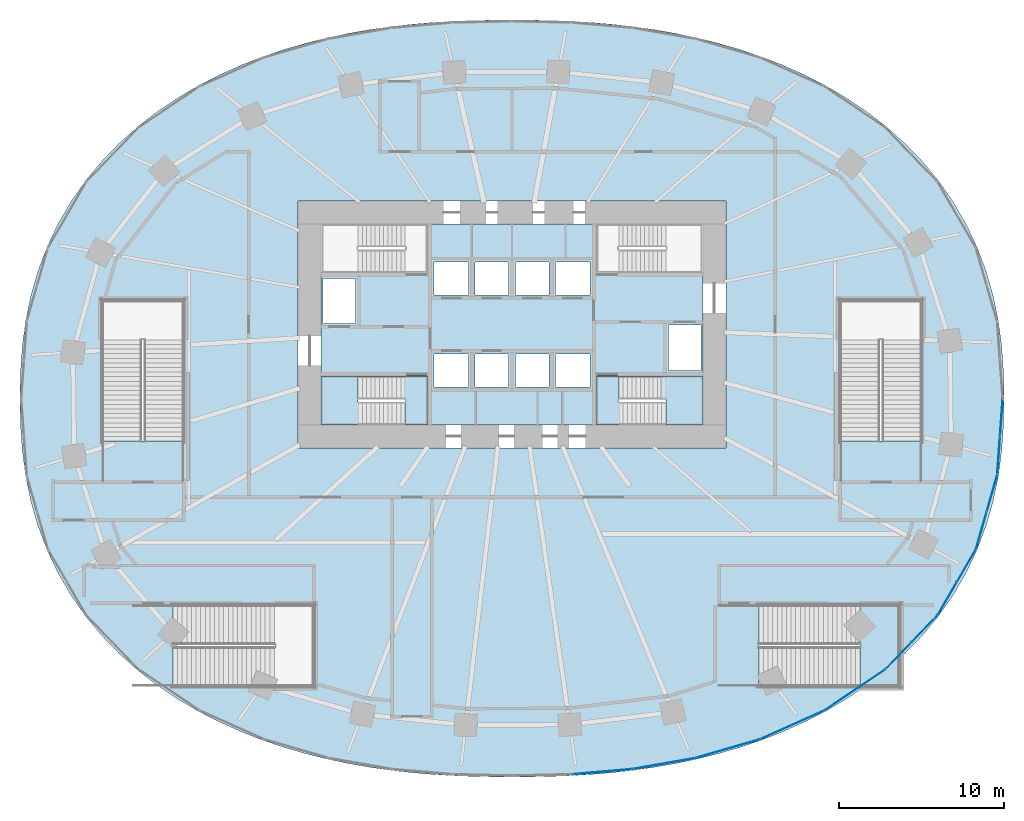
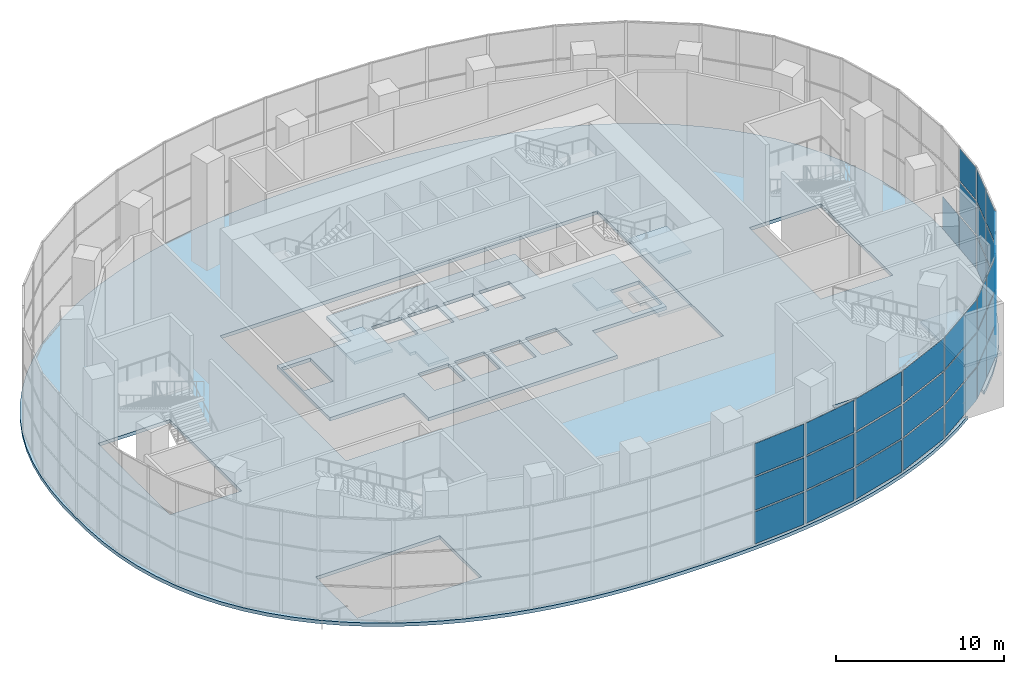
# One storey, part 11 of 22: 37 plates, 8 slabs, 12 elements without a shape of their own.
"""IFC4 building model written with IfcOpenShell, lengths in metres."""

from ifc_helpers import new_model, si_unit, direction, frame, origin, origin_2d, place, context, subcontext, project, spatial, polyline, rectangle, outline, extrude, material, layer, layer_set, type_object, element, aggregate, save


model = new_model("IFC4")

# Units and contexts
model_context = context("Model", 3, precision=1e-05, world=origin(), true_north=direction((0.0, 1.0)))
body_context = subcontext(model_context, "Body", "Model", "MODEL_VIEW")
ifc_project = project(units=[si_unit("LENGTHUNIT", "METRE"), si_unit("AREAUNIT", "SQUARE_METRE"), si_unit("VOLUMEUNIT", "CUBIC_METRE"), si_unit("PLANEANGLEUNIT", "RADIAN"), si_unit("MASSUNIT", "GRAM", prefix="KILO")], contexts=[model_context])

# Site, building, storey
site_placement = place(None, origin())
site = spatial("IfcSite", under=ifc_project, at=site_placement, CompositionType="ELEMENT")
building_placement = place(site_placement, origin())
building = spatial("IfcBuilding", under=site, at=building_placement, Name="Rubra Terraces Tower", CompositionType="ELEMENT")
storey_placement = place(building_placement, frame((0.0, 0.0, 15.0)))
storey = spatial("IfcBuildingStorey", under=building, at=storey_placement, Name="L02", CompositionType="ELEMENT", Elevation=15.0)

# Slab
ifc_material_1 = material(Name="Concrete C40", Category="concrete")
ifc_layer_1 = layer(ifc_material_1, 0.25)
ifc_layer_set_1 = layer_set([ifc_layer_1], Name="Concrete C40")
slab_type_1 = type_object("IfcSlabType", Name="Core floor slab 250 concrete", PredefinedType="FLOOR", material=ifc_layer_set_1)
slab_1_placement = place(storey_placement, frame((0.0, 0.0, -0.25)))
element("IfcSlab", 1, at=slab_1_placement, inside=storey, type_object=slab_type_1, Name="CORE FLOOR SLAB L02", PredefinedType="FLOOR", context=body_context, shape_type="SweptSolid", body=[
    extrude(outline(polyline([(-11.60009765625, 1.347900390625), (-11.60009765625, 7.652099609375), (-6.501953125, 7.652099609375), (-6.501953125, 10.60009765625), (6.501953125, 10.60009765625), (6.501953125, 7.652099609375), (11.60009765625, 7.652099609375), (11.60009765625, 1.347900390625), (6.501953125, 1.347900390625), (6.501953125, -1.60009765625), (-6.501953125, -1.60009765625), (-6.501953125, 1.347900390625), (-11.60009765625, 1.347900390625)]), holes=[polyline([(9.5, 1.699951171875), (11.5, 1.699951171875), (11.5, 4.449951171875), (9.5, 4.449951171875), (9.5, 1.699951171875)]), polyline([(4.75, 0.699951171875), (4.75, 2.699951171875), (2.64990234375, 2.699951171875), (2.64990234375, 0.699951171875), (4.75, 0.699951171875)]), polyline([(4.75, 6.300048828125), (4.75, 8.300048828125), (2.64990234375, 8.300048828125), (2.64990234375, 6.300048828125), (4.75, 6.300048828125)]), polyline([(2.25, 0.699951171875), (2.25, 2.699951171875), (0.199951171875, 2.699951171875), (0.199951171875, 0.699951171875), (2.25, 0.699951171875)]), polyline([(2.25, 6.300048828125), (2.25, 8.300048828125), (0.199951171875, 8.300048828125), (0.199951171875, 6.300048828125), (2.25, 6.300048828125)]), polyline([(-0.199951171875, 0.699951171875), (-0.199951171875, 2.699951171875), (-2.25, 2.699951171875), (-2.25, 0.699951171875), (-0.199951171875, 0.699951171875)]), polyline([(-0.199951171875, 6.300048828125), (-0.199951171875, 8.300048828125), (-2.25, 8.300048828125), (-2.25, 6.300048828125), (-0.199951171875, 6.300048828125)]), polyline([(-2.64990234375, 0.699951171875), (-2.64990234375, 2.699951171875), (-4.75, 2.699951171875), (-4.75, 0.699951171875), (-2.64990234375, 0.699951171875)]), polyline([(-2.64990234375, 8.300048828125), (-4.75, 8.300048828125), (-4.75, 6.300048828125), (-2.64990234375, 6.300048828125), (-2.64990234375, 8.300048828125)]), polyline([(-9.5, 7.300048828125), (-11.5, 7.300048828125), (-11.5, 4.550048828125), (-9.5, 4.550048828125), (-9.5, 7.300048828125)])]), origin(), (0.0, 0.0, 1.0), 0.25),
])

# Stair, slabs
stair_type_1 = type_object("IfcStairType", Name="Core stair 1400", PredefinedType="HALF_TURN_STAIR", material=ifc_material_1)
stair_1_placement = place(storey_placement, origin())
stair_1 = element("IfcStair", 2, at=stair_1_placement, inside=storey, type_object=stair_type_1, Name="L02 Exit stair S1", PredefinedType="HALF_TURN_STAIR")
ifc_layer_2 = layer(ifc_material_1, 0.199951171875)
ifc_layer_set_2 = layer_set([ifc_layer_2], Name="Concrete C40")
slab_type_2 = type_object("IfcSlabType", Name="Core stair landing 200", PredefinedType="LANDING", material=ifc_layer_set_2)
slab_2_placement = place(storey_placement, frame((0.0, 0.0, 3.699951171875)))
slab_2 = element("IfcSlab", 3, at=slab_2_placement, type_object=slab_type_2, Name="S1 landing 2", PredefinedType="LANDING", context=body_context, shape_type="SweptSolid", body=[
    extrude(outline(polyline([(-6.5, -0.199951171875), (-6.5, -0.050048828125), (-6.8798828125, -0.050048828125), (-6.8798828125, 1.35009765625), (-6.5, 1.35009765625), (-6.47998046875, 1.35009765625), (-5.10009765625, 1.35009765625), (-5.10009765625, -1.60009765625), (-6.47998046875, -1.60009765625), (-6.5, -1.60009765625), (-6.501953125, -1.60009765625), (-6.501953125, -0.199951171875), (-6.5, -0.199951171875)])), origin(), (0.0, 0.0, 1.0), 0.199951171875),
])
slab_3_placement = place(storey_placement, frame((0.0, 0.0, 5.64990234375)))
slab_3 = element("IfcSlab", 4, at=slab_3_placement, type_object=slab_type_2, Name="S1 landing 3", PredefinedType="LANDING", context=body_context, shape_type="SweptSolid", body=[
    extrude(outline(polyline([(-8.97998046875, -0.199951171875), (-8.97998046875, -1.60009765625), (-9.360107421875, -1.60009765625), (-9.3798828125, -1.60009765625), (-11.60009765625, -1.60009765625), (-11.60009765625, 1.35009765625), (-9.3798828125, 1.35009765625), (-9.35791015625, 1.35009765625), (-9.35791015625, -0.050048828125), (-9.360107421875, -0.050048828125), (-9.360107421875, -0.199951171875), (-8.97998046875, -0.199951171875)])), origin(), (0.0, 0.0, 1.0), 0.2001953125),
])
aggregate(stair_1, [slab_2, slab_3])

stair_2_placement = place(storey_placement, origin())
stair_2 = element("IfcStair", 5, at=stair_2_placement, inside=storey, type_object=stair_type_1, Name="L02 Exit stair S4", PredefinedType="HALF_TURN_STAIR")
slab_4_placement = place(storey_placement, frame((0.0, 0.0, 1.75)))
slab_4 = element("IfcSlab", 6, at=slab_4_placement, type_object=slab_type_2, Name="S4 landing 1", PredefinedType="LANDING", context=body_context, shape_type="SweptSolid", body=[
    extrude(outline(polyline([(9.360107421875, -0.199951171875), (9.360107421875, -0.050048828125), (8.97998046875, -0.050048828125), (8.97998046875, 1.35009765625), (9.360107421875, 1.35009765625), (9.3798828125, 1.35009765625), (11.60009765625, 1.35009765625), (11.60009765625, -1.60009765625), (9.3798828125, -1.60009765625), (9.360107421875, -1.60009765625), (9.35791015625, -1.60009765625), (9.35791015625, -0.199951171875), (9.360107421875, -0.199951171875)])), origin(), (0.0, 0.0, 1.0), 0.199951171875),
])
slab_5_placement = place(storey_placement, frame((0.0, 0.0, 3.699951171875)))
slab_5 = element("IfcSlab", 7, at=slab_5_placement, type_object=slab_type_2, Name="S4 landing 2", PredefinedType="LANDING", context=body_context, shape_type="SweptSolid", body=[
    extrude(outline(polyline([(6.8798828125, -0.199951171875), (6.8798828125, -1.60009765625), (6.5, -1.60009765625), (6.47998046875, -1.60009765625), (5.10009765625, -1.60009765625), (5.10009765625, 1.35009765625), (6.47998046875, 1.35009765625), (6.501953125, 1.35009765625), (6.501953125, -0.050048828125), (6.5, -0.050048828125), (6.5, -0.199951171875), (6.8798828125, -0.199951171875)])), origin(), (0.0, 0.0, 1.0), 0.199951171875),
])
slab_6_placement = place(storey_placement, frame((0.0, 0.0, 5.64990234375)))
slab_6 = element("IfcSlab", 8, at=slab_6_placement, type_object=slab_type_2, Name="S4 landing 3", PredefinedType="LANDING", context=body_context, shape_type="SweptSolid", body=[
    extrude(outline(polyline([(9.360107421875, -0.199951171875), (9.360107421875, -0.050048828125), (8.97998046875, -0.050048828125), (8.97998046875, 1.35009765625), (9.360107421875, 1.35009765625), (9.3798828125, 1.35009765625), (11.60009765625, 1.35009765625), (11.60009765625, -1.60009765625), (9.3798828125, -1.60009765625), (9.360107421875, -1.60009765625), (9.35791015625, -1.60009765625), (9.35791015625, -0.199951171875), (9.360107421875, -0.199951171875)])), origin(), (0.0, 0.0, 1.0), 0.2001953125),
])
aggregate(stair_2, [slab_4, slab_5, slab_6])

# Slab
ifc_layer_3 = layer(ifc_material_1, 0.25)
ifc_layer_set_3 = layer_set([ifc_layer_3], Name="Concrete C40")
slab_type_3 = type_object("IfcSlabType", Name="FLOOR SLAB 250 COMPOSITE", PredefinedType="FLOOR", material=ifc_layer_set_3)
slab_7_placement = place(storey_placement, frame((0.0, 0.0, -0.25)))
element("IfcSlab", 9, at=slab_7_placement, inside=storey, type_object=slab_type_3, Name="FLOOR SLAB L02", PredefinedType="FLOOR", context=body_context, shape_type="SweptSolid", body=[
    extrude(outline(polyline([(28.819091796875, -7.719970703125), (29.25, -6.216064453125), (29.56298828125, -4.681884765625), (29.76708984375, -3.12890625), (29.873046875, -1.56591796875), (29.89990234375, 0.0), (29.873046875, 1.56591796875), (29.76708984375, 3.12890625), (29.56298828125, 4.681884765625), (29.25, 6.216064453125), (28.819091796875, 7.719970703125), (28.26806640625, 9.18505859375), (27.60205078125, 10.591064453125), (26.820068359375, 11.93603515625), (25.929931640625, 13.2119140625), (24.951904296875, 14.39501953125), (23.885009765625, 15.5), (22.739013671875, 16.52099609375), (21.555908203125, 17.43505859375), (20.31591796875, 18.27001953125), (19.02587890625, 19.02587890625), (17.7490234375, 19.679931640625), (16.43896484375, 20.264892578125), (15.10107421875, 20.784912109375), (13.80810546875, 21.219970703125), (12.4970703125, 21.60009765625), (11.173095703125, 21.927978515625), (9.904052734375, 22.194091796875), (8.626953125, 22.4169921875), (7.343017578125, 22.60009765625), (6.10791015625, 22.739013671875), (4.87109375, 22.844970703125), (3.6298828125, 22.922119140625), (2.4208984375, 22.968994140625), (1.2109375, 22.993896484375), (0.0, 23.0), (-1.2109375, 22.993896484375), (-2.4208984375, 22.968994140625), (-3.6298828125, 22.922119140625), (-4.87109375, 22.844970703125), (-6.10791015625, 22.739013671875), (-7.343017578125, 22.60009765625), (-8.626953125, 22.4169921875), (-9.904052734375, 22.194091796875), (-11.173095703125, 21.927978515625), (-12.4970703125, 21.60009765625), (-13.80810546875, 21.219970703125), (-15.10107421875, 20.784912109375), (-16.43896484375, 20.264892578125), (-17.7490234375, 19.679931640625), (-19.02587890625, 19.02587890625), (-20.31591796875, 18.27001953125), (-21.555908203125, 17.43505859375), (-22.739013671875, 16.52099609375), (-23.885009765625, 15.5), (-24.951904296875, 14.39501953125), (-25.929931640625, 13.2119140625), (-26.820068359375, 11.93603515625), (-27.60205078125, 10.591064453125), (-28.26806640625, 9.18505859375), (-28.819091796875, 7.719970703125), (-29.25, 6.216064453125), (-29.56298828125, 4.681884765625), (-29.76708984375, 3.12890625), (-29.873046875, 1.56591796875), (-29.89990234375, 0.0), (-29.873046875, -1.56591796875), (-29.76708984375, -3.12890625), (-29.56298828125, -4.681884765625), (-29.25, -6.216064453125), (-28.819091796875, -7.719970703125), (-28.26806640625, -9.18505859375), (-27.60205078125, -10.591064453125), (-26.820068359375, -11.93603515625), (-25.929931640625, -13.2119140625), (-24.951904296875, -14.39501953125), (-23.885009765625, -15.5), (-22.739013671875, -16.52099609375), (-21.555908203125, -17.43505859375), (-20.31591796875, -18.27001953125), (-19.02587890625, -19.02587890625), (-17.7490234375, -19.679931640625), (-16.43896484375, -20.264892578125), (-15.10107421875, -20.784912109375), (-13.80810546875, -21.219970703125), (-12.4970703125, -21.60009765625), (-11.173095703125, -21.927978515625), (-9.904052734375, -22.194091796875), (-8.626953125, -22.4169921875), (-7.343017578125, -22.60009765625), (-6.10791015625, -22.739013671875), (-4.87109375, -22.844970703125), (-3.6298828125, -22.922119140625), (-2.4208984375, -22.968994140625), (-1.2109375, -22.993896484375), (0.0, -23.0), (1.2109375, -22.993896484375), (2.4208984375, -22.968994140625), (3.6298828125, -22.922119140625), (4.87109375, -22.844970703125), (6.10791015625, -22.739013671875), (7.343017578125, -22.60009765625), (8.626953125, -22.4169921875), (9.904052734375, -22.194091796875), (11.173095703125, -21.927978515625), (12.4970703125, -21.60009765625), (13.80810546875, -21.219970703125), (15.10107421875, -20.784912109375), (16.43896484375, -20.264892578125), (17.7490234375, -19.679931640625), (19.02587890625, -19.02587890625), (20.31591796875, -18.27001953125), (21.458984375, -17.5), (15.0009765625, -17.5), (15.0009765625, -12.550048828125), (23.56005859375, -12.550048828125), (23.56005859375, -15.7900390625), (23.885009765625, -15.5), (24.951904296875, -14.39501953125), (25.929931640625, -13.2119140625), (26.820068359375, -11.93603515625), (27.60205078125, -10.591064453125), (28.26806640625, -9.18505859375), (28.819091796875, -7.719970703125)]), holes=[polyline([(13.0, 12.0), (13.0, -3.0), (-13.0, -3.0), (-13.0, 12.0), (13.0, 12.0)]), polyline([(-19.949951171875, -2.59912109375), (-24.89990234375, -2.59912109375), (-24.89990234375, 5.9599609375), (-19.949951171875, 5.9599609375), (-19.949951171875, -2.59912109375)]), polyline([(19.949951171875, -2.59912109375), (19.949951171875, 5.9599609375), (24.89990234375, 5.9599609375), (24.89990234375, -2.59912109375), (19.949951171875, -2.59912109375)]), polyline([(-12.0400390625, -12.550048828125), (-12.0400390625, -17.5), (-20.59912109375, -17.5), (-20.59912109375, -12.550048828125), (-12.0400390625, -12.550048828125)])]), origin(), (0.0, 0.0, 1.0), 0.25),
])

# Curtain wall, plates
ifc_material_2 = material(Name="Aluminium and glass", Category="aluminium")
curtain_wall_type = type_object("IfcCurtainWallType", Name="Curtain wall Podium glazing", PredefinedType="NOTDEFINED", material=ifc_material_2)
curtain_wall_1_placement = place(storey_placement, origin())
curtain_wall_1 = element("IfcCurtainWall", 10, at=curtain_wall_1_placement, inside=storey, type_object=curtain_wall_type, Name="L02 glazing bay 32", PredefinedType="NOTDEFINED")
ifc_material_3 = material(Name="Clear glass, laminated", Category="glass")
ifc_layer_4 = layer(ifc_material_3, 0.028076171875)
ifc_layer_set_4 = layer_set([ifc_layer_4], Name="Clear glass, laminated")
plate_type = type_object("IfcPlateType", Name="Podium glazing glass panel 28", PredefinedType="CURTAIN_PANEL", material=ifc_layer_set_4)
plate_1_placement = place(storey_placement, frame((5.47998046875, -22.686279296875, 0.1201171875), z_axis=(0.0, 0.0, 1.0), x_axis=(0.996260697637, 0.08639804595, 0.0)))
plate_1 = element("IfcPlate", 11, at=plate_1_placement, type_object=plate_type, Name="CW1 panel 1.1", PredefinedType="CURTAIN_PANEL", context=body_context, shape_type="SweptSolid", body=[
    extrude(rectangle(XDim=3.60693359375, YDim=0.028076171875, at=origin_2d()), origin(), (0.0, 0.0, 1.0), 2.336669921875),
])
plate_2_placement = place(storey_placement, frame((5.47998046875, -22.686279296875, 2.57666015625), z_axis=(0.0, 0.0, 1.0), x_axis=(0.996260697637, 0.08639804595, 0.0)))
plate_2 = element("IfcPlate", 12, at=plate_2_placement, type_object=plate_type, Name="CW1 panel 1.2", PredefinedType="CURTAIN_PANEL", context=body_context, shape_type="SweptSolid", body=[
    extrude(rectangle(XDim=3.60693359375, YDim=0.028076171875, at=origin_2d()), origin(), (0.0, 0.0, 1.0), 2.396484375),
])
plate_3_placement = place(storey_placement, frame((5.47998046875, -22.686279296875, 5.09326171875), z_axis=(0.0, 0.0, 1.0), x_axis=(0.996260697637, 0.08639804595, 0.0)))
plate_3 = element("IfcPlate", 13, at=plate_3_placement, type_object=plate_type, Name="CW1 panel 1.3", PredefinedType="CURTAIN_PANEL", context=body_context, shape_type="SweptSolid", body=[
    extrude(rectangle(XDim=3.60693359375, YDim=0.028076171875, at=origin_2d()), origin(), (0.0, 0.0, 1.0), 2.336669921875),
])
aggregate(curtain_wall_1, [plate_1, plate_2, plate_3])

curtain_wall_2_placement = place(storey_placement, origin())
curtain_wall_2 = element("IfcCurtainWall", 14, at=curtain_wall_2_placement, inside=storey, type_object=curtain_wall_type, Name="L02 glazing bay 33", PredefinedType="NOTDEFINED")
plate_4_placement = place(storey_placement, frame((9.2451171875, -22.190185546875, 0.1201171875), z_axis=(0.0, 0.0, 1.0), x_axis=(0.984953952909, 0.172816985997, 0.0)))
plate_4 = element("IfcPlate", 15, at=plate_4_placement, type_object=plate_type, Name="CW1 panel 1.1", PredefinedType="CURTAIN_PANEL", context=body_context, shape_type="SweptSolid", body=[
    extrude(rectangle(XDim=3.7685546875, YDim=0.028076171875, at=origin_2d()), origin(), (0.0, 0.0, 1.0), 2.336669921875),
])
plate_5_placement = place(storey_placement, frame((9.2451171875, -22.190185546875, 2.57666015625), z_axis=(0.0, 0.0, 1.0), x_axis=(0.984953952909, 0.172816985997, 0.0)))
plate_5 = element("IfcPlate", 16, at=plate_5_placement, type_object=plate_type, Name="CW1 panel 1.2", PredefinedType="CURTAIN_PANEL", context=body_context, shape_type="SweptSolid", body=[
    extrude(rectangle(XDim=3.7685546875, YDim=0.028076171875, at=origin_2d()), origin(), (0.0, 0.0, 1.0), 2.396484375),
])
plate_6_placement = place(storey_placement, frame((9.2451171875, -22.190185546875, 5.09326171875), z_axis=(0.0, 0.0, 1.0), x_axis=(0.984953952909, 0.172816985997, 0.0)))
plate_6 = element("IfcPlate", 17, at=plate_6_placement, type_object=plate_type, Name="CW1 panel 1.3", PredefinedType="CURTAIN_PANEL", context=body_context, shape_type="SweptSolid", body=[
    extrude(rectangle(XDim=3.7685546875, YDim=0.028076171875, at=origin_2d()), origin(), (0.0, 0.0, 1.0), 2.336669921875),
])
aggregate(curtain_wall_2, [plate_4, plate_5, plate_6])

curtain_wall_3_placement = place(storey_placement, origin())
curtain_wall_3 = element("IfcCurtainWall", 18, at=curtain_wall_3_placement, inside=storey, type_object=curtain_wall_type, Name="L02 glazing bay 34", PredefinedType="NOTDEFINED")
plate_7_placement = place(storey_placement, frame((13.115966796875, -21.284423828125, 0.1201171875), z_axis=(0.0, 0.0, 1.0), x_axis=(0.96017502931, 0.279399200229, 0.0)))
plate_7 = element("IfcPlate", 19, at=plate_7_placement, type_object=plate_type, Name="CW1 panel 1.1", PredefinedType="CURTAIN_PANEL", context=body_context, shape_type="SweptSolid", body=[
    extrude(rectangle(XDim=3.970947265625, YDim=0.028076171875, at=origin_2d()), origin(), (0.0, 0.0, 1.0), 2.336669921875),
])
plate_8_placement = place(storey_placement, frame((13.115966796875, -21.284423828125, 2.57666015625), z_axis=(0.0, 0.0, 1.0), x_axis=(0.96017502931, 0.279399200229, 0.0)))
plate_8 = element("IfcPlate", 20, at=plate_8_placement, type_object=plate_type, Name="CW1 panel 1.2", PredefinedType="CURTAIN_PANEL", context=body_context, shape_type="SweptSolid", body=[
    extrude(rectangle(XDim=3.970947265625, YDim=0.028076171875, at=origin_2d()), origin(), (0.0, 0.0, 1.0), 2.396484375),
])
plate_9_placement = place(storey_placement, frame((13.115966796875, -21.284423828125, 5.09326171875), z_axis=(0.0, 0.0, 1.0), x_axis=(0.96017502931, 0.279399200229, 0.0)))
plate_9 = element("IfcPlate", 21, at=plate_9_placement, type_object=plate_type, Name="CW1 panel 1.3", PredefinedType="CURTAIN_PANEL", context=body_context, shape_type="SweptSolid", body=[
    extrude(rectangle(XDim=3.970947265625, YDim=0.028076171875, at=origin_2d()), origin(), (0.0, 0.0, 1.0), 2.336669921875),
])
aggregate(curtain_wall_3, [plate_7, plate_8, plate_9])

curtain_wall_4_placement = place(storey_placement, origin())
curtain_wall_4 = element("IfcCurtainWall", 22, at=curtain_wall_4_placement, inside=storey, type_object=curtain_wall_type, Name="L02 glazing bay 35", PredefinedType="NOTDEFINED")
plate_10_placement = place(storey_placement, frame((17.03271484375, -19.837158203125, 0.1201171875), z_axis=(0.0, 0.0, 1.0), x_axis=(0.912551215254, 0.4089624427, 0.0)))
plate_10 = element("IfcPlate", 23, at=plate_10_placement, type_object=plate_type, Name="CW1 panel 1.1", PredefinedType="CURTAIN_PANEL", context=body_context, shape_type="SweptSolid", body=[
    extrude(rectangle(XDim=4.18115234375, YDim=0.028076171875, at=origin_2d()), origin(), (0.0, 0.0, 1.0), 2.336669921875),
])
plate_11_placement = place(storey_placement, frame((17.03271484375, -19.837158203125, 2.57666015625), z_axis=(0.0, 0.0, 1.0), x_axis=(0.912551215254, 0.4089624427, 0.0)))
plate_11 = element("IfcPlate", 24, at=plate_11_placement, type_object=plate_type, Name="CW1 panel 1.2", PredefinedType="CURTAIN_PANEL", context=body_context, shape_type="SweptSolid", body=[
    extrude(rectangle(XDim=4.18115234375, YDim=0.028076171875, at=origin_2d()), origin(), (0.0, 0.0, 1.0), 2.396484375),
])
plate_12_placement = place(storey_placement, frame((17.03271484375, -19.837158203125, 5.09326171875), z_axis=(0.0, 0.0, 1.0), x_axis=(0.912551215254, 0.4089624427, 0.0)))
plate_12 = element("IfcPlate", 25, at=plate_12_placement, type_object=plate_type, Name="CW1 panel 1.3", PredefinedType="CURTAIN_PANEL", context=body_context, shape_type="SweptSolid", body=[
    extrude(rectangle(XDim=4.18115234375, YDim=0.028076171875, at=origin_2d()), origin(), (0.0, 0.0, 1.0), 2.336669921875),
])
aggregate(curtain_wall_4, [plate_10, plate_11, plate_12])

curtain_wall_5_placement = place(storey_placement, origin())
curtain_wall_5 = element("IfcCurtainWall", 26, at=curtain_wall_5_placement, inside=storey, type_object=curtain_wall_type, Name="L02 glazing bay 36", PredefinedType="NOTDEFINED")
plate_13_placement = place(storey_placement, frame((20.840576171875, -17.711181640625, 0.1201171875), z_axis=(0.0, 0.0, 1.0), x_axis=(0.828980654031, 0.55927727939, 0.0)))
plate_13 = element("IfcPlate", 27, at=plate_13_placement, type_object=plate_type, Name="CW1 panel 1.1", PredefinedType="CURTAIN_PANEL", context=body_context, shape_type="SweptSolid", body=[
    extrude(rectangle(XDim=4.35888671875, YDim=0.028076171875, at=origin_2d()), origin(), (0.0, 0.0, 1.0), 2.336669921875),
])
plate_14_placement = place(storey_placement, frame((20.840576171875, -17.711181640625, 2.57666015625), z_axis=(0.0, 0.0, 1.0), x_axis=(0.828980654031, 0.55927727939, 0.0)))
plate_14 = element("IfcPlate", 28, at=plate_14_placement, type_object=plate_type, Name="CW1 panel 1.2", PredefinedType="CURTAIN_PANEL", context=body_context, shape_type="SweptSolid", body=[
    extrude(rectangle(XDim=4.35888671875, YDim=0.028076171875, at=origin_2d()), origin(), (0.0, 0.0, 1.0), 2.396484375),
])
plate_15_placement = place(storey_placement, frame((20.840576171875, -17.711181640625, 5.09326171875), z_axis=(0.0, 0.0, 1.0), x_axis=(0.828980654031, 0.55927727939, 0.0)))
plate_15 = element("IfcPlate", 29, at=plate_15_placement, type_object=plate_type, Name="CW1 panel 1.3", PredefinedType="CURTAIN_PANEL", context=body_context, shape_type="SweptSolid", body=[
    extrude(rectangle(XDim=4.35888671875, YDim=0.028076171875, at=origin_2d()), origin(), (0.0, 0.0, 1.0), 2.336669921875),
])
aggregate(curtain_wall_5, [plate_13, plate_14, plate_15])

curtain_wall_6_placement = place(storey_placement, origin())
curtain_wall_6 = element("IfcCurtainWall", 30, at=curtain_wall_6_placement, inside=storey, type_object=curtain_wall_type, Name="L02 glazing bay 37", PredefinedType="NOTDEFINED")
plate_16_placement = place(storey_placement, frame((23.4931640625, -15.630859375, 0.1201171875), z_axis=(0.0, 0.0, 1.0), x_axis=(0.69415569917, 0.71982488517, 0.0)))
plate_16 = element("IfcPlate", 31, at=plate_16_placement, type_object=plate_type, Name="CW1 panel 1.1", PredefinedType="CURTAIN_PANEL", context=body_context, shape_type="SweptSolid", body=[
    extrude(rectangle(XDim=2.20849609375, YDim=0.028076171875, at=origin_2d()), origin(), (0.0, 0.0, 1.0), 2.336669921875),
])
plate_17_placement = place(storey_placement, frame((23.4931640625, -15.630859375, 2.57666015625), z_axis=(0.0, 0.0, 1.0), x_axis=(0.69415569917, 0.71982488517, 0.0)))
plate_17 = element("IfcPlate", 32, at=plate_17_placement, type_object=plate_type, Name="CW1 panel 1.2", PredefinedType="CURTAIN_PANEL", context=body_context, shape_type="SweptSolid", body=[
    extrude(rectangle(XDim=2.20849609375, YDim=0.028076171875, at=origin_2d()), origin(), (0.0, 0.0, 1.0), 2.396484375),
])
plate_18_placement = place(storey_placement, frame((23.4931640625, -15.630859375, 5.09326171875), z_axis=(0.0, 0.0, 1.0), x_axis=(0.69415569917, 0.71982488517, 0.0)))
plate_18 = element("IfcPlate", 33, at=plate_18_placement, type_object=plate_type, Name="CW1 panel 1.3", PredefinedType="CURTAIN_PANEL", context=body_context, shape_type="SweptSolid", body=[
    extrude(rectangle(XDim=2.20849609375, YDim=0.028076171875, at=origin_2d()), origin(), (0.0, 0.0, 1.0), 2.336669921875),
])
plate_19_placement = place(storey_placement, frame((25.06787109375, -13.998046875, 0.1201171875), z_axis=(0.0, 0.0, 1.0), x_axis=(0.69415569917, 0.71982488517, 0.0)))
plate_19 = element("IfcPlate", 34, at=plate_19_placement, type_object=plate_type, Name="CW1 panel 2.1", PredefinedType="CURTAIN_PANEL", context=body_context, shape_type="SweptSolid", body=[
    extrude(rectangle(XDim=2.20849609375, YDim=0.028076171875, at=origin_2d()), origin(), (0.0, 0.0, 1.0), 2.336669921875),
])
plate_20_placement = place(storey_placement, frame((25.06787109375, -13.998046875, 2.57666015625), z_axis=(0.0, 0.0, 1.0), x_axis=(0.69415569917, 0.71982488517, 0.0)))
plate_20 = element("IfcPlate", 35, at=plate_20_placement, type_object=plate_type, Name="CW1 panel 2.2", PredefinedType="CURTAIN_PANEL", context=body_context, shape_type="SweptSolid", body=[
    extrude(rectangle(XDim=2.20849609375, YDim=0.028076171875, at=origin_2d()), origin(), (0.0, 0.0, 1.0), 2.396484375),
])
plate_21_placement = place(storey_placement, frame((25.06787109375, -13.998046875, 5.09326171875), z_axis=(0.0, 0.0, 1.0), x_axis=(0.69415569917, 0.71982488517, 0.0)))
plate_21 = element("IfcPlate", 36, at=plate_21_placement, type_object=plate_type, Name="CW1 panel 2.3", PredefinedType="CURTAIN_PANEL", context=body_context, shape_type="SweptSolid", body=[
    extrude(rectangle(XDim=2.20849609375, YDim=0.028076171875, at=origin_2d()), origin(), (0.0, 0.0, 1.0), 2.336669921875),
])
aggregate(curtain_wall_6, [plate_16, plate_17, plate_18, plate_19, plate_20, plate_21])

curtain_wall_7_placement = place(storey_placement, origin())
curtain_wall_7 = element("IfcCurtainWall", 37, at=curtain_wall_7_placement, inside=storey, type_object=curtain_wall_type, Name="L02 glazing bay 38", PredefinedType="NOTDEFINED")
plate_22_placement = place(storey_placement, frame((26.45703125, -12.154541015625, 0.1201171875), z_axis=(0.0, 0.0, 1.0), x_axis=(0.502094070187, 0.864813011398, 0.0)))
plate_22 = element("IfcPlate", 38, at=plate_22_placement, type_object=plate_type, Name="CW1 panel 1.1", PredefinedType="CURTAIN_PANEL", context=body_context, shape_type="SweptSolid", body=[
    extrude(rectangle(XDim=2.23828125, YDim=0.028076171875, at=origin_2d()), origin(), (0.0, 0.0, 1.0), 2.336669921875),
])
plate_23_placement = place(storey_placement, frame((26.45703125, -12.154541015625, 2.57666015625), z_axis=(0.0, 0.0, 1.0), x_axis=(0.502094070187, 0.864813011398, 0.0)))
plate_23 = element("IfcPlate", 39, at=plate_23_placement, type_object=plate_type, Name="CW1 panel 1.2", PredefinedType="CURTAIN_PANEL", context=body_context, shape_type="SweptSolid", body=[
    extrude(rectangle(XDim=2.23828125, YDim=0.028076171875, at=origin_2d()), origin(), (0.0, 0.0, 1.0), 2.396484375),
])
plate_24_placement = place(storey_placement, frame((26.45703125, -12.154541015625, 5.09326171875), z_axis=(0.0, 0.0, 1.0), x_axis=(0.502094070187, 0.864813011398, 0.0)))
plate_24 = element("IfcPlate", 40, at=plate_24_placement, type_object=plate_type, Name="CW1 panel 1.3", PredefinedType="CURTAIN_PANEL", context=body_context, shape_type="SweptSolid", body=[
    extrude(rectangle(XDim=2.23828125, YDim=0.028076171875, at=origin_2d()), origin(), (0.0, 0.0, 1.0), 2.336669921875),
])
plate_25_placement = place(storey_placement, frame((27.611083984375, -10.1669921875, 0.1201171875), z_axis=(0.0, 0.0, 1.0), x_axis=(0.502094070187, 0.864813011398, 0.0)))
plate_25 = element("IfcPlate", 41, at=plate_25_placement, type_object=plate_type, Name="CW1 panel 2.1", PredefinedType="CURTAIN_PANEL", context=body_context, shape_type="SweptSolid", body=[
    extrude(rectangle(XDim=2.23828125, YDim=0.028076171875, at=origin_2d()), origin(), (0.0, 0.0, 1.0), 2.336669921875),
])
plate_26_placement = place(storey_placement, frame((27.611083984375, -10.1669921875, 2.57666015625), z_axis=(0.0, 0.0, 1.0), x_axis=(0.502094070187, 0.864813011398, 0.0)))
plate_26 = element("IfcPlate", 42, at=plate_26_placement, type_object=plate_type, Name="CW1 panel 2.2", PredefinedType="CURTAIN_PANEL", context=body_context, shape_type="SweptSolid", body=[
    extrude(rectangle(XDim=2.23828125, YDim=0.028076171875, at=origin_2d()), origin(), (0.0, 0.0, 1.0), 2.396484375),
])
plate_27_placement = place(storey_placement, frame((27.611083984375, -10.1669921875, 5.09326171875), z_axis=(0.0, 0.0, 1.0), x_axis=(0.502094070187, 0.864813011398, 0.0)))
plate_27 = element("IfcPlate", 43, at=plate_27_placement, type_object=plate_type, Name="CW1 panel 2.3", PredefinedType="CURTAIN_PANEL", context=body_context, shape_type="SweptSolid", body=[
    extrude(rectangle(XDim=2.23828125, YDim=0.028076171875, at=origin_2d()), origin(), (0.0, 0.0, 1.0), 2.336669921875),
])
aggregate(curtain_wall_7, [plate_22, plate_23, plate_24, plate_25, plate_26, plate_27])

curtain_wall_8_placement = place(storey_placement, origin())
curtain_wall_8 = element("IfcCurtainWall", 44, at=curtain_wall_8_placement, inside=storey, type_object=curtain_wall_type, Name="L02 glazing bay 39", PredefinedType="NOTDEFINED")
plate_28_placement = place(storey_placement, frame((28.523681640625, -8.024169921875, 0.1201171875), z_axis=(0.0, 0.0, 1.0), x_axis=(0.276383811798, 0.961047339404, 0.0)))
plate_28 = element("IfcPlate", 45, at=plate_28_placement, type_object=plate_type, Name="CW1 panel 1.1", PredefinedType="CURTAIN_PANEL", context=body_context, shape_type="SweptSolid", body=[
    extrude(rectangle(XDim=2.252685546875, YDim=0.028076171875, at=origin_2d()), origin(), (0.0, 0.0, 1.0), 2.336669921875),
])
plate_29_placement = place(storey_placement, frame((28.523681640625, -8.024169921875, 2.57666015625), z_axis=(0.0, 0.0, 1.0), x_axis=(0.276383811798, 0.961047339404, 0.0)))
plate_29 = element("IfcPlate", 46, at=plate_29_placement, type_object=plate_type, Name="CW1 panel 1.2", PredefinedType="CURTAIN_PANEL", context=body_context, shape_type="SweptSolid", body=[
    extrude(rectangle(XDim=2.252685546875, YDim=0.028076171875, at=origin_2d()), origin(), (0.0, 0.0, 1.0), 2.396484375),
])
plate_30_placement = place(storey_placement, frame((28.523681640625, -8.024169921875, 5.09326171875), z_axis=(0.0, 0.0, 1.0), x_axis=(0.276383811798, 0.961047339404, 0.0)))
plate_30 = element("IfcPlate", 47, at=plate_30_placement, type_object=plate_type, Name="CW1 panel 1.3", PredefinedType="CURTAIN_PANEL", context=body_context, shape_type="SweptSolid", body=[
    extrude(rectangle(XDim=2.252685546875, YDim=0.028076171875, at=origin_2d()), origin(), (0.0, 0.0, 1.0), 2.336669921875),
])
plate_31_placement = place(storey_placement, frame((29.1630859375, -5.801513671875, 0.1201171875), z_axis=(0.0, 0.0, 1.0), x_axis=(0.276383811798, 0.961047339404, 0.0)))
plate_31 = element("IfcPlate", 48, at=plate_31_placement, type_object=plate_type, Name="CW1 panel 2.1", PredefinedType="CURTAIN_PANEL", context=body_context, shape_type="SweptSolid", body=[
    extrude(rectangle(XDim=2.252685546875, YDim=0.028076171875, at=origin_2d()), origin(), (0.0, 0.0, 1.0), 2.336669921875),
])
plate_32_placement = place(storey_placement, frame((29.1630859375, -5.801513671875, 2.57666015625), z_axis=(0.0, 0.0, 1.0), x_axis=(0.276383811798, 0.961047339404, 0.0)))
plate_32 = element("IfcPlate", 49, at=plate_32_placement, type_object=plate_type, Name="CW1 panel 2.2", PredefinedType="CURTAIN_PANEL", context=body_context, shape_type="SweptSolid", body=[
    extrude(rectangle(XDim=2.252685546875, YDim=0.028076171875, at=origin_2d()), origin(), (0.0, 0.0, 1.0), 2.396484375),
])
plate_33_placement = place(storey_placement, frame((29.1630859375, -5.801513671875, 5.09326171875), z_axis=(0.0, 0.0, 1.0), x_axis=(0.276383811798, 0.961047339404, 0.0)))
plate_33 = element("IfcPlate", 50, at=plate_33_placement, type_object=plate_type, Name="CW1 panel 2.3", PredefinedType="CURTAIN_PANEL", context=body_context, shape_type="SweptSolid", body=[
    extrude(rectangle(XDim=2.252685546875, YDim=0.028076171875, at=origin_2d()), origin(), (0.0, 0.0, 1.0), 2.336669921875),
])
aggregate(curtain_wall_8, [plate_28, plate_29, plate_30, plate_31, plate_32, plate_33])

curtain_wall_9_placement = place(storey_placement, origin())
curtain_wall_9 = element("IfcCurtainWall", 51, at=curtain_wall_9_placement, inside=storey, type_object=curtain_wall_type, Name="L02 glazing bay 40", PredefinedType="NOTDEFINED")
plate_34_placement = place(storey_placement, frame((29.573486328125, -3.4912109375, 0.1201171875), z_axis=(0.0, 0.0, 1.0), x_axis=(0.071792057306, 0.997419621076, 0.0)))
plate_34 = element("IfcPlate", 52, at=plate_34_placement, type_object=plate_type, Name="CW1 panel 1.1", PredefinedType="CURTAIN_PANEL", context=body_context, shape_type="SweptSolid", body=[
    extrude(rectangle(XDim=2.257080078125, YDim=0.028076171875, at=origin_2d()), origin(), (0.0, 0.0, 1.0), 2.336669921875),
])
plate_35_placement = place(storey_placement, frame((29.573486328125, -3.4912109375, 2.57666015625), z_axis=(0.0, 0.0, 1.0), x_axis=(0.071792057306, 0.997419621076, 0.0)))
plate_35 = element("IfcPlate", 53, at=plate_35_placement, type_object=plate_type, Name="CW1 panel 1.2", PredefinedType="CURTAIN_PANEL", context=body_context, shape_type="SweptSolid", body=[
    extrude(rectangle(XDim=2.257080078125, YDim=0.028076171875, at=origin_2d()), origin(), (0.0, 0.0, 1.0), 2.396484375),
])
plate_36_placement = place(storey_placement, frame((29.573486328125, -3.4912109375, 5.09326171875), z_axis=(0.0, 0.0, 1.0), x_axis=(0.071792057306, 0.997419621076, 0.0)))
plate_36 = element("IfcPlate", 54, at=plate_36_placement, type_object=plate_type, Name="CW1 panel 1.3", PredefinedType="CURTAIN_PANEL", context=body_context, shape_type="SweptSolid", body=[
    extrude(rectangle(XDim=2.257080078125, YDim=0.028076171875, at=origin_2d()), origin(), (0.0, 0.0, 1.0), 2.336669921875),
])
plate_37_placement = place(storey_placement, frame((29.739990234375, -1.18017578125, 0.1201171875), z_axis=(0.0, 0.0, 1.0), x_axis=(0.071792057306, 0.997419621076, 0.0)))
plate_37 = element("IfcPlate", 55, at=plate_37_placement, type_object=plate_type, Name="CW1 panel 2.1", PredefinedType="CURTAIN_PANEL", context=body_context, shape_type="SweptSolid", body=[
    extrude(rectangle(XDim=2.257080078125, YDim=0.028076171875, at=origin_2d()), origin(), (0.0, 0.0, 1.0), 2.336669921875),
])
aggregate(curtain_wall_9, [plate_34, plate_35, plate_36, plate_37])

# Stair, slab
ifc_material_4 = material(Name="Concrete C40/50", Category="concrete")
stair_type_2 = type_object("IfcStairType", Name="Public stair", PredefinedType="HALF_TURN_STAIR", material=ifc_material_4)
stair_3_placement = place(storey_placement, origin())
stair_3 = element("IfcStair", 56, at=stair_3_placement, inside=storey, type_object=stair_type_2, Name="L02 public stair PS4", PredefinedType="HALF_TURN_STAIR")
ifc_layer_5 = layer(ifc_material_4, 0.199951171875)
ifc_layer_set_5 = layer_set([ifc_layer_5], Name="Concrete C40/50")
slab_type_4 = type_object("IfcSlabType", Name="Public stair landing 200", PredefinedType="LANDING", material=ifc_layer_set_5)
slab_8_placement = place(storey_placement, frame((0.0, 0.0, 3.699951171875)))
slab_8 = element("IfcSlab", 57, at=slab_8_placement, type_object=slab_type_4, Name="PS4 landing 1", PredefinedType="LANDING", context=body_context, shape_type="SweptSolid", body=[
    extrude(outline(polyline([(21.159912109375, -17.64990234375), (23.7099609375, -17.64990234375), (23.7099609375, -12.39990234375), (21.159912109375, -12.39990234375), (21.159912109375, -17.64990234375)])), origin(), (0.0, 0.0, 1.0), 0.199951171875),
])
aggregate(stair_3, [slab_8])

save(model, "model.ifc")
